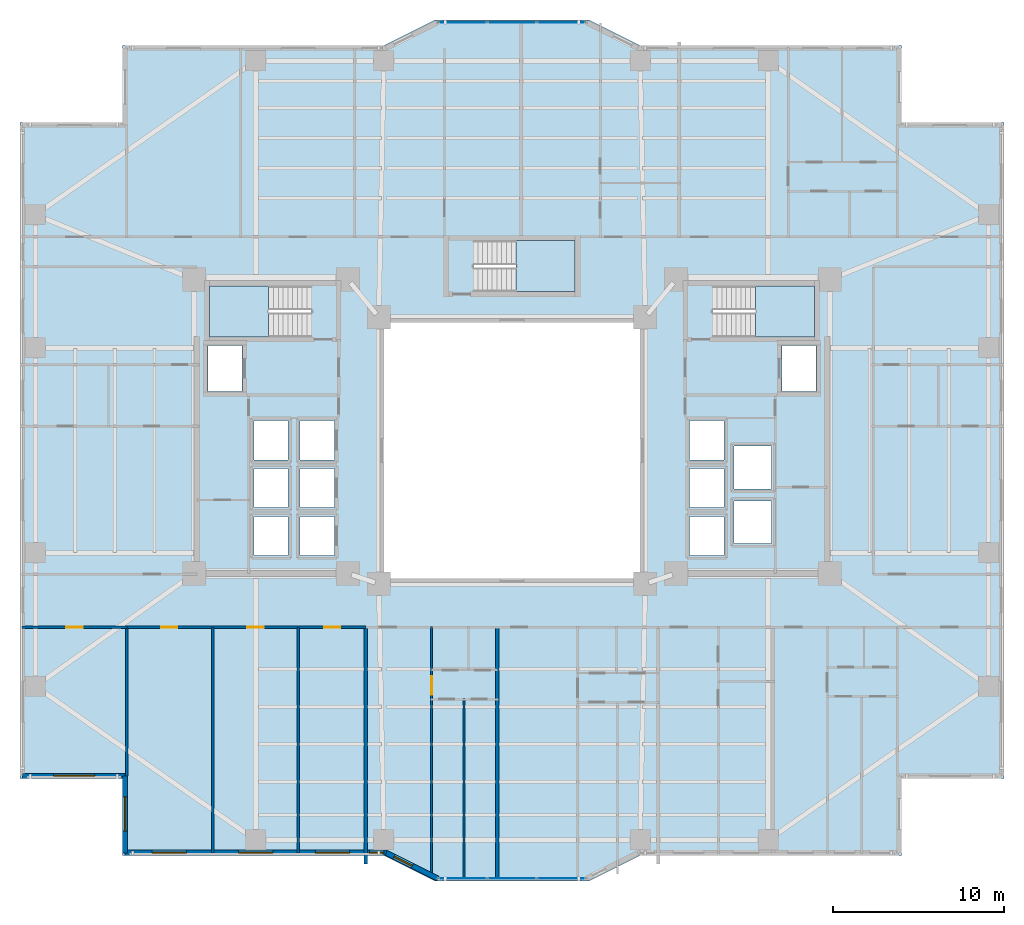
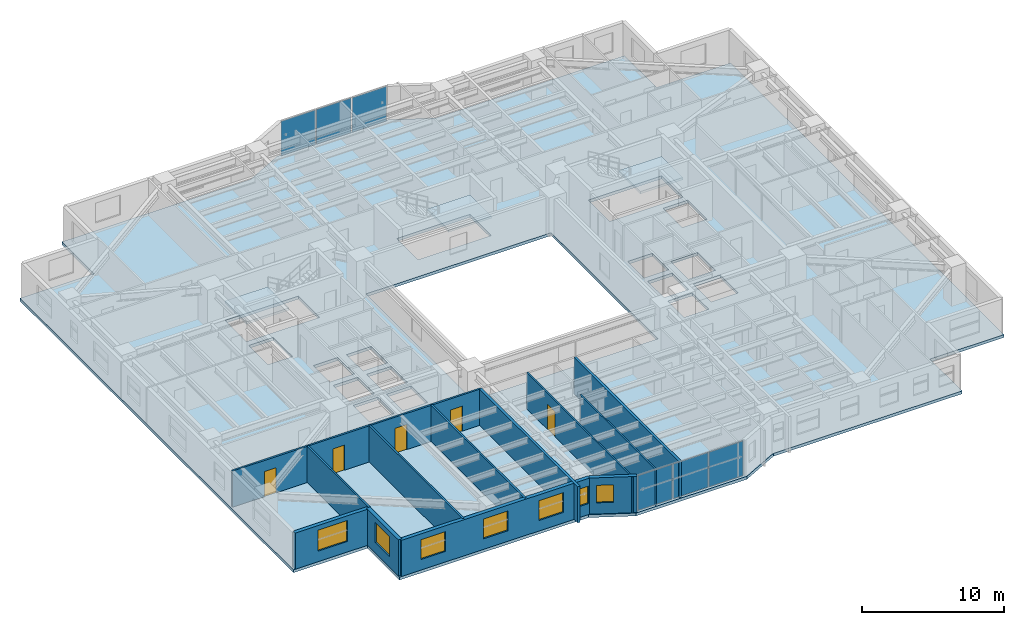
# One storey, part 9 of 21: 13 walls, 7 windows, 6 plates, 5 doors, 4 slabs, 12 openings, 5 elements without a shape of their own.
"""IFC4 building model written with IfcOpenShell, lengths in metres."""

from ifc_helpers import new_model, si_unit, direction, frame, frame_2d, origin, origin_2d, place, context, subcontext, project, spatial, polyline, rectangle, outline, extrude, material, layer, layer_set, type_object, element, fill, aggregate, save


model = new_model("IFC4")

# Units and contexts
model_context = context("Model", 3, precision=1e-05, world=origin(), true_north=direction((0.0, 1.0)))
body_context = subcontext(model_context, "Body", "Model", "MODEL_VIEW")
ifc_project = project(units=[si_unit("LENGTHUNIT", "METRE"), si_unit("AREAUNIT", "SQUARE_METRE"), si_unit("VOLUMEUNIT", "CUBIC_METRE"), si_unit("PLANEANGLEUNIT", "RADIAN"), si_unit("MASSUNIT", "GRAM", prefix="KILO")], contexts=[model_context])

# Site, building, storey
site_placement = place(None, origin())
site = spatial("IfcSite", under=ifc_project, at=site_placement, CompositionType="ELEMENT")
building_placement = place(site_placement, origin())
building = spatial("IfcBuilding", under=site, at=building_placement, Name="Tarnavaz Court Tower", CompositionType="ELEMENT")
storey_placement = place(building_placement, frame((0.0, 0.0, 44.10009765625)))
storey = spatial("IfcBuildingStorey", under=building, at=storey_placement, Name="L11", CompositionType="ELEMENT", Elevation=44.10009765625)

# Curtain wall, plates
ifc_material_1 = material(Name="Anodised Aluminium 6063-T6 and Solar Low-E Glazing", Category="aluminium")
ifc_layer_1 = layer(ifc_material_1, 0.179931640625)
ifc_layer_set_1 = layer_set([ifc_layer_1], Name="Anodised Aluminium 6063-T6 and Solar Low-E Glazing")
curtain_wall_type = type_object("IfcCurtainWallType", Name="CW-SYS-02", PredefinedType="NOTDEFINED", material=ifc_layer_set_1)
curtain_wall_1_placement = place(storey_placement, origin())
curtain_wall_1 = element("IfcCurtainWall", 1, at=curtain_wall_1_placement, inside=storey, type_object=curtain_wall_type, Name="L11 Iwan Prow Curtain Wall 7", PredefinedType="NOTDEFINED")
ifc_material_2 = material(Name="Double-Glazed Solar Low-E Glass", Category="glass")
ifc_layer_2 = layer(ifc_material_2, 0.028076171875)
ifc_layer_set_2 = layer_set([ifc_layer_2], Name="Double-Glazed Solar Low-E Glass")
plate_type = type_object("IfcPlateType", Name="CW-PAN-GLZ28", PredefinedType="CURTAIN_PANEL", material=ifc_layer_set_2)
plate_1_placement = place(storey_placement, frame((-2.88134765625, 25.050048828125, 0.06494140625), z_axis=(0.0, 0.0, 1.0), x_axis=(1.0, 0.0, 0.0)))
plate_1 = element("IfcPlate", 2, at=plate_1_placement, type_object=plate_type, Name="CW panel 1.1", PredefinedType="CURTAIN_PANEL", context=body_context, shape_type="SweptSolid", body=[
    extrude(rectangle(XDim=2.78759765625, YDim=0.028076171875, at=origin_2d()), origin(), (0.0, 0.0, 1.0), 2.969970703125),
])
plate_2_placement = place(storey_placement, frame((0.0, 25.050048828125, 0.06494140625), z_axis=(0.0, 0.0, 1.0), x_axis=(1.0, 0.0, 0.0)))
plate_2 = element("IfcPlate", 3, at=plate_2_placement, type_object=plate_type, Name="CW panel 2.1", PredefinedType="CURTAIN_PANEL", context=body_context, shape_type="SweptSolid", body=[
    extrude(rectangle(XDim=2.824951171875, YDim=0.028076171875, at=origin_2d()), origin(), (0.0, 0.0, 1.0), 2.969970703125),
])
plate_3_placement = place(storey_placement, frame((2.88134765625, 25.050048828125, 0.06494140625), z_axis=(0.0, 0.0, 1.0), x_axis=(1.0, 0.0, 0.0)))
plate_3 = element("IfcPlate", 4, at=plate_3_placement, type_object=plate_type, Name="CW panel 3.1", PredefinedType="CURTAIN_PANEL", context=body_context, shape_type="SweptSolid", body=[
    extrude(rectangle(XDim=2.78759765625, YDim=0.028076171875, at=origin_2d()), origin(), (0.0, 0.0, 1.0), 2.969970703125),
])
aggregate(curtain_wall_1, [plate_1, plate_2, plate_3])

curtain_wall_2_placement = place(storey_placement, origin())
curtain_wall_2 = element("IfcCurtainWall", 5, at=curtain_wall_2_placement, inside=storey, type_object=curtain_wall_type, Name="L11 Iwan Prow Curtain Wall 17", PredefinedType="NOTDEFINED")
plate_4_placement = place(storey_placement, frame((2.88134765625, -25.050048828125, 0.06494140625), z_axis=(0.0, 0.0, 1.0), x_axis=(-1.0, 0.0, 0.0)))
plate_4 = element("IfcPlate", 6, at=plate_4_placement, type_object=plate_type, Name="CW panel 1.1", PredefinedType="CURTAIN_PANEL", context=body_context, shape_type="SweptSolid", body=[
    extrude(rectangle(XDim=2.78759765625, YDim=0.028076171875, at=origin_2d()), origin(), (0.0, 0.0, 1.0), 2.969970703125),
])
plate_5_placement = place(storey_placement, frame((0.0, -25.050048828125, 0.06494140625), z_axis=(0.0, 0.0, 1.0), x_axis=(-1.0, 0.0, 0.0)))
plate_5 = element("IfcPlate", 7, at=plate_5_placement, type_object=plate_type, Name="CW panel 2.1", PredefinedType="CURTAIN_PANEL", context=body_context, shape_type="SweptSolid", body=[
    extrude(rectangle(XDim=2.824951171875, YDim=0.028076171875, at=origin_2d()), origin(), (0.0, 0.0, 1.0), 2.969970703125),
])
plate_6_placement = place(storey_placement, frame((-2.88134765625, -25.050048828125, 0.06494140625), z_axis=(0.0, 0.0, 1.0), x_axis=(-1.0, 0.0, 0.0)))
plate_6 = element("IfcPlate", 8, at=plate_6_placement, type_object=plate_type, Name="CW panel 3.1", PredefinedType="CURTAIN_PANEL", context=body_context, shape_type="SweptSolid", body=[
    extrude(rectangle(XDim=2.78759765625, YDim=0.028076171875, at=origin_2d()), origin(), (0.0, 0.0, 1.0), 2.969970703125),
])
aggregate(curtain_wall_2, [plate_4, plate_5, plate_6])

# Stair, slab
ifc_material_3 = material(Name="Concrete C40/50", Category="concrete")
stair_type = type_object("IfcStairType", Name="ST-TWR-20R", PredefinedType="HALF_TURN_STAIR", material=ifc_material_3)
stair_1_placement = place(storey_placement, origin())
stair_1 = element("IfcStair", 9, at=stair_1_placement, inside=storey, type_object=stair_type, Name="L11 West Core Pressurized Exit Stair ST-W1", PredefinedType="HALF_TURN_STAIR")
ifc_layer_3 = layer(ifc_material_3, 0.199951171875)
ifc_layer_set_3 = layer_set([ifc_layer_3], Name="Concrete C40/50")
slab_type_1 = type_object("IfcSlabType", Name="SL-LAND-200", PredefinedType="LANDING", material=ifc_layer_set_3)
slab_1_placement = place(storey_placement, frame((0.0, 0.0, 1.474853515625)))
slab_1 = element("IfcSlab", 10, at=slab_1_placement, type_object=slab_type_1, Name="ST-W1 landing 1", PredefinedType="LANDING", context=body_context, shape_type="SweptSolid", body=[
    extrude(outline(polyline([(-14.239990234375, 9.639892578125), (-17.699951171875, 9.639892578125), (-17.699951171875, 6.64990234375), (-14.239990234375, 6.64990234375), (-14.239990234375, 9.639892578125)])), origin(), (0.0, 0.0, 1.0), 0.199951171875),
])
aggregate(stair_1, [slab_1])

stair_2_placement = place(storey_placement, origin())
stair_2 = element("IfcStair", 11, at=stair_2_placement, inside=storey, type_object=stair_type, Name="L11 East Core Pressurized Exit Stair ST-E1", PredefinedType="HALF_TURN_STAIR")
slab_2_placement = place(storey_placement, frame((0.0, 0.0, 1.474853515625)))
slab_2 = element("IfcSlab", 12, at=slab_2_placement, type_object=slab_type_1, Name="ST-E1 landing 1", PredefinedType="LANDING", context=body_context, shape_type="SweptSolid", body=[
    extrude(outline(polyline([(14.239990234375, 6.64990234375), (17.699951171875, 6.64990234375), (17.699951171875, 9.639892578125), (14.239990234375, 9.639892578125), (14.239990234375, 6.64990234375)])), origin(), (0.0, 0.0, 1.0), 0.199951171875),
])
aggregate(stair_2, [slab_2])

stair_3_placement = place(storey_placement, origin())
stair_3 = element("IfcStair", 13, at=stair_3_placement, inside=storey, type_object=stair_type, Name="L11 North Ring Pressurized Exit Stair ST-N1", PredefinedType="HALF_TURN_STAIR")
slab_3_placement = place(storey_placement, frame((0.0, 0.0, 1.474853515625)))
slab_3 = element("IfcSlab", 14, at=slab_3_placement, type_object=slab_type_1, Name="ST-N1 landing 1", PredefinedType="LANDING", context=body_context, shape_type="SweptSolid", body=[
    extrude(outline(polyline([(0.239990234375, 9.300048828125), (3.699951171875, 9.300048828125), (3.699951171875, 12.2900390625), (0.239990234375, 12.2900390625), (0.239990234375, 9.300048828125)])), origin(), (0.0, 0.0, 1.0), 0.199951171875),
])
aggregate(stair_3, [slab_3])

# Slab
ifc_layer_4 = layer(ifc_material_3, 0.25)
ifc_layer_set_4 = layer_set([ifc_layer_4], Name="Concrete C40/50")
slab_type_2 = type_object("IfcSlabType", Name="SL-RES-250", PredefinedType="FLOOR", material=ifc_layer_set_4)
slab_4_placement = place(storey_placement, frame((0.0, 0.0, -0.25)))
element("IfcSlab", 15, at=slab_4_placement, inside=storey, type_object=slab_type_2, Name="L11 Structural Floor Slab", PredefinedType="FLOOR", context=body_context, shape_type="SweptSolid", body=[
    extrude(outline(polyline([(-22.800048828125, -23.699951171875), (-7.5, -23.699951171875), (-4.5, -25.199951171875), (4.5, -25.199951171875), (7.5, -23.699951171875), (22.800048828125, -23.699951171875), (22.800048828125, -19.199951171875), (28.800048828125, -19.199951171875), (28.800048828125, 19.199951171875), (22.800048828125, 19.199951171875), (22.800048828125, 23.699951171875), (7.5, 23.699951171875), (4.5, 25.199951171875), (-4.5, 25.199951171875), (-7.5, 23.699951171875), (-22.800048828125, 23.699951171875), (-22.800048828125, 19.199951171875), (-28.800048828125, 19.199951171875), (-28.800048828125, -19.199951171875), (-22.800048828125, -19.199951171875), (-22.800048828125, -23.699951171875)]), holes=[polyline([(-7.5, -7.5), (7.5, -7.5), (7.5, 7.5), (-7.5, 7.5), (-7.5, -7.5)]), polyline([(-11.7451171875, 9.639892578125), (-17.699951171875, 9.639892578125), (-17.699951171875, 6.64990234375), (-11.7451171875, 6.64990234375), (-11.7451171875, 9.639892578125)]), polyline([(11.7451171875, 6.64990234375), (17.699951171875, 6.64990234375), (17.699951171875, 9.639892578125), (11.7451171875, 9.639892578125), (11.7451171875, 6.64990234375)]), polyline([(-2.2548828125, 9.300048828125), (3.699951171875, 9.300048828125), (3.699951171875, 12.2900390625), (-2.2548828125, 12.2900390625), (-2.2548828125, 9.300048828125)]), polyline([(-17.800048828125, 3.449951171875), (-15.800048828125, 3.449951171875), (-15.800048828125, 6.14990234375), (-17.800048828125, 6.14990234375), (-17.800048828125, 3.449951171875)]), polyline([(-12.39990234375, -6.14990234375), (-10.39990234375, -6.14990234375), (-10.39990234375, -3.85009765625), (-12.39990234375, -3.85009765625), (-12.39990234375, -6.14990234375)]), polyline([(-12.39990234375, -3.35009765625), (-10.39990234375, -3.35009765625), (-10.39990234375, -1.050048828125), (-12.39990234375, -1.050048828125), (-12.39990234375, -3.35009765625)]), polyline([(-12.39990234375, -0.550048828125), (-10.39990234375, -0.550048828125), (-10.39990234375, 1.75), (-12.39990234375, 1.75), (-12.39990234375, -0.550048828125)]), polyline([(-15.10009765625, -6.14990234375), (-13.10009765625, -6.14990234375), (-13.10009765625, -3.85009765625), (-15.10009765625, -3.85009765625), (-15.10009765625, -6.14990234375)]), polyline([(-15.10009765625, -3.35009765625), (-13.10009765625, -3.35009765625), (-13.10009765625, -1.050048828125), (-15.10009765625, -1.050048828125), (-15.10009765625, -3.35009765625)]), polyline([(-15.10009765625, -0.550048828125), (-13.10009765625, -0.550048828125), (-13.10009765625, 1.75), (-15.10009765625, 1.75), (-15.10009765625, -0.550048828125)]), polyline([(15.800048828125, 3.449951171875), (17.800048828125, 3.449951171875), (17.800048828125, 6.14990234375), (15.800048828125, 6.14990234375), (15.800048828125, 3.449951171875)]), polyline([(10.39990234375, -6.14990234375), (12.39990234375, -6.14990234375), (12.39990234375, -3.85009765625), (10.39990234375, -3.85009765625), (10.39990234375, -6.14990234375)]), polyline([(10.39990234375, -3.35009765625), (12.39990234375, -3.35009765625), (12.39990234375, -1.050048828125), (10.39990234375, -1.050048828125), (10.39990234375, -3.35009765625)]), polyline([(10.39990234375, -0.550048828125), (12.39990234375, -0.550048828125), (12.39990234375, 1.75), (10.39990234375, 1.75), (10.39990234375, -0.550048828125)]), polyline([(13.0, -5.449951171875), (15.199951171875, -5.449951171875), (15.199951171875, -2.949951171875), (13.0, -2.949951171875), (13.0, -5.449951171875)]), polyline([(13.0, -2.25), (15.199951171875, -2.25), (15.199951171875, 0.25), (13.0, 0.25), (13.0, -2.25)])]), origin(), (0.0, 0.0, 1.0), 0.25),
])

# Wall, opening, window
ifc_material_4 = material(Name="Precast Concrete C40/50", Category="concrete")
ifc_layer_5 = layer(ifc_material_4, 0.300048828125)
ifc_layer_set_5 = layer_set([ifc_layer_5], Name="Precast Concrete C40/50")
wall_type_1 = type_object("IfcWallType", Name="WL-EXT-300", PredefinedType="SOLIDWALL", material=ifc_layer_set_5)
wall_1_placement = place(storey_placement, frame((-22.64990234375, -19.050048828125, 0.0), z_axis=(0.0, 0.0, 1.0), x_axis=(-1.0, 0.0, 0.0)))
wall_1 = element("IfcWall", 16, at=wall_1_placement, inside=storey, type_object=wall_type_1, Name="L11 Exterior Terracotta Facade Wall 01", PredefinedType="SOLIDWALL", context=body_context, shape_type="SweptSolid", body=[
    extrude(rectangle(XDim=6.0, YDim=0.300048828125, at=frame_2d((3.0, 0.0))), origin(), (0.0, 0.0, 1.0), 3.099853515625),
])
opening_1_placement = place(wall_1_placement, frame((1.77490234375, 0.0, 0.89990234375)))
opening_1 = element("IfcOpeningElement", 17, at=opening_1_placement, cuts=wall_1, Name="Opening W06", PredefinedType="OPENING", context=body_context, shape_type="SweptSolid", body=[
    extrude(rectangle(XDim=2.39990234375, YDim=1.800048828125, at=frame_2d((1.199951171875, 0.89990234375))), frame((0.0, 0.159912109375, 0.0), z_axis=(0.0, -1.0, 0.0), x_axis=(1.0, 0.0, 0.0)), (0.0, 0.0, 1.0), 0.320068359375),
])
window_type_1 = type_object("IfcWindowType", Name="WN-APT-2400", PartitioningType="TRIPLE_PANEL_VERTICAL", PredefinedType="WINDOW", material=ifc_material_2)
window_1_placement = place(opening_1_placement, origin())
window_1 = element("IfcWindow", 18, at=window_1_placement, inside=storey, type_object=window_type_1, Name="L11 South-West Corner Reading Room Window", OverallHeight=1.800048828125, OverallWidth=2.39990234375, PartitioningType="SINGLE_PANEL", PredefinedType="WINDOW", context=body_context, shape_type="SweptSolid", body=[
    extrude(rectangle(XDim=2.39990234375, YDim=1.800048828125, at=frame_2d((1.199951171875, 0.89990234375))), frame((0.0, 0.030029296875, 0.0), z_axis=(0.0, -1.0, 0.0), x_axis=(1.0, 0.0, 0.0)), (0.0, 0.0, 1.0), 0.06005859375),
])
fill(opening_1, window_1)

wall_2_placement = place(storey_placement, frame((-4.35009765625, -25.050048828125, 0.0), z_axis=(0.0, 0.0, 1.0), x_axis=(-0.894427191, 0.4472135955, 0.0)))
wall_2 = element("IfcWall", 19, at=wall_2_placement, inside=storey, type_object=wall_type_1, Name="L11 Exterior Terracotta Facade Wall 18", PredefinedType="SOLIDWALL", context=body_context, shape_type="SweptSolid", body=[
    extrude(rectangle(XDim=3.35400390625, YDim=0.300048828125, at=frame_2d((1.677001953125, 0.0))), origin(), (0.0, 0.0, 1.0), 3.099853515625),
])
opening_2_placement = place(wall_2_placement, frame((1.65283203125, 0.0, 0.949951171875)))
opening_2 = element("IfcOpeningElement", 20, at=opening_2_placement, cuts=wall_2, Name="Opening W05", PredefinedType="OPENING", context=body_context, shape_type="SweptSolid", body=[
    extrude(rectangle(XDim=1.199951171875, YDim=1.5, at=frame_2d((0.60009765625, 0.75))), frame((0.0, 0.159912109375, 0.0), z_axis=(0.0, -1.0, 0.0), x_axis=(1.0, 0.0, 0.0)), (0.0, 0.0, 1.0), 0.320068359375),
])
window_type_2 = type_object("IfcWindowType", Name="WN-APT-1200", PartitioningType="SINGLE_PANEL", PredefinedType="WINDOW", material=ifc_material_2)
window_2_placement = place(opening_2_placement, origin())
window_2 = element("IfcWindow", 21, at=window_2_placement, inside=storey, type_object=window_type_2, Name="L11 Flat 05 Living and Dining Room Window", OverallHeight=1.5, OverallWidth=1.199951171875, PartitioningType="SINGLE_PANEL", PredefinedType="WINDOW", context=body_context, shape_type="SweptSolid", body=[
    extrude(rectangle(XDim=1.199951171875, YDim=1.5, at=frame_2d((0.60009765625, 0.75))), frame((0.0, 0.030029296875, 0.0), z_axis=(0.0, -1.0, 0.0), x_axis=(1.0, 0.0, 0.0)), (0.0, 0.0, 1.0), 0.06005859375),
])
fill(opening_2, window_2)

# Wall, openings, windows
wall_3_placement = place(storey_placement, frame((-7.35009765625, -23.550048828125, 0.0), z_axis=(0.0, 0.0, 1.0), x_axis=(-1.0, 0.0, 0.0)))
wall_3 = element("IfcWall", 22, at=wall_3_placement, inside=storey, type_object=wall_type_1, Name="L11 Exterior Terracotta Facade Wall 19", PredefinedType="SOLIDWALL", context=body_context, shape_type="SweptSolid", body=[
    extrude(rectangle(XDim=15.2998046875, YDim=0.300048828125, at=frame_2d((7.64990234375, 0.0))), origin(), (0.0, 0.0, 1.0), 3.099853515625),
])
opening_3_placement = place(wall_3_placement, frame((0.146728515625, 0.0, 0.949951171875)))
opening_3 = element("IfcOpeningElement", 23, at=opening_3_placement, cuts=wall_3, Name="Opening W15", PredefinedType="OPENING", context=body_context, shape_type="SweptSolid", body=[
    extrude(rectangle(XDim=0.85009765625, YDim=1.5, at=frame_2d((0.425048828125, 0.75))), frame((0.0, 0.159912109375, 0.0), z_axis=(0.0, -1.0, 0.0), x_axis=(1.0, 0.0, 0.0)), (0.0, 0.0, 1.0), 0.320068359375),
])
opening_4_placement = place(wall_3_placement, frame((2.160400390625, 0.0, 0.89990234375)))
opening_4 = element("IfcOpeningElement", 24, at=opening_4_placement, cuts=wall_3, Name="Opening W08", PredefinedType="OPENING", context=body_context, shape_type="SweptSolid", body=[
    extrude(rectangle(XDim=2.0, YDim=1.699951171875, at=frame_2d((1.0, 0.85009765625))), frame((0.0, 0.159912109375, 0.0), z_axis=(0.0, -1.0, 0.0), x_axis=(1.0, 0.0, 0.0)), (0.0, 0.0, 1.0), 0.320068359375),
])
opening_5_placement = place(wall_3_placement, frame((6.64990234375, 0.0, 0.89990234375)))
opening_5 = element("IfcOpeningElement", 25, at=opening_5_placement, cuts=wall_3, Name="Opening W08", PredefinedType="OPENING", context=body_context, shape_type="SweptSolid", body=[
    extrude(rectangle(XDim=2.0, YDim=1.699951171875, at=frame_2d((1.0, 0.85009765625))), frame((0.0, 0.159912109375, 0.0), z_axis=(0.0, -1.0, 0.0), x_axis=(1.0, 0.0, 0.0)), (0.0, 0.0, 1.0), 0.320068359375),
])
opening_6_placement = place(wall_3_placement, frame((11.716552734375, 0.0, 0.89990234375)))
opening_6 = element("IfcOpeningElement", 26, at=opening_6_placement, cuts=wall_3, Name="Opening W08", PredefinedType="OPENING", context=body_context, shape_type="SweptSolid", body=[
    extrude(rectangle(XDim=2.0, YDim=1.699951171875, at=frame_2d((1.0, 0.85009765625))), frame((0.0, 0.159912109375, 0.0), z_axis=(0.0, -1.0, 0.0), x_axis=(1.0, 0.0, 0.0)), (0.0, 0.0, 1.0), 0.320068359375),
])
window_type_3 = type_object("IfcWindowType", Name="WN-APT-2000", PartitioningType="DOUBLE_PANEL_VERTICAL", PredefinedType="WINDOW", material=ifc_material_2)
window_3_placement = place(opening_4_placement, origin())
window_3 = element("IfcWindow", 27, at=window_3_placement, inside=storey, type_object=window_type_3, Name="L11 Resident Focus Seminar Room Window", OverallHeight=1.699951171875, OverallWidth=2.0, PartitioningType="SINGLE_PANEL", PredefinedType="WINDOW", context=body_context, shape_type="SweptSolid", body=[
    extrude(rectangle(XDim=2.0, YDim=1.699951171875, at=frame_2d((1.0, 0.85009765625))), frame((0.0, 0.030029296875, 0.0), z_axis=(0.0, -1.0, 0.0), x_axis=(1.0, 0.0, 0.0)), (0.0, 0.0, 1.0), 0.06005859375),
])
fill(opening_4, window_3)
window_4_placement = place(opening_5_placement, origin())
window_4 = element("IfcWindow", 28, at=window_4_placement, inside=storey, type_object=window_type_3, Name="L11 Quiet Reading Library Room Window", OverallHeight=1.699951171875, OverallWidth=2.0, PartitioningType="SINGLE_PANEL", PredefinedType="WINDOW", context=body_context, shape_type="SweptSolid", body=[
    extrude(rectangle(XDim=2.0, YDim=1.699951171875, at=frame_2d((1.0, 0.85009765625))), frame((0.0, 0.030029296875, 0.0), z_axis=(0.0, -1.0, 0.0), x_axis=(1.0, 0.0, 0.0)), (0.0, 0.0, 1.0), 0.06005859375),
])
fill(opening_5, window_4)
window_5_placement = place(opening_6_placement, origin())
window_5 = element("IfcWindow", 29, at=window_5_placement, inside=storey, type_object=window_type_3, Name="L11 Resident Co-Working Study Room Window", OverallHeight=1.699951171875, OverallWidth=2.0, PartitioningType="SINGLE_PANEL", PredefinedType="WINDOW", context=body_context, shape_type="SweptSolid", body=[
    extrude(rectangle(XDim=2.0, YDim=1.699951171875, at=frame_2d((1.0, 0.85009765625))), frame((0.0, 0.030029296875, 0.0), z_axis=(0.0, -1.0, 0.0), x_axis=(1.0, 0.0, 0.0)), (0.0, 0.0, 1.0), 0.06005859375),
])
fill(opening_6, window_5)
window_type_4 = type_object("IfcWindowType", Name="WN-APT-850", PartitioningType="SINGLE_PANEL", PredefinedType="WINDOW", material=ifc_material_2)
window_6_placement = place(opening_3_placement, origin())
window_6 = element("IfcWindow", 30, at=window_6_placement, inside=storey, type_object=window_type_4, Name="L11 Flat 05 Living and Dining Room Window", OverallHeight=1.5, OverallWidth=0.85009765625, PartitioningType="SINGLE_PANEL", PredefinedType="WINDOW", context=body_context, shape_type="SweptSolid", body=[
    extrude(rectangle(XDim=0.85009765625, YDim=1.5, at=frame_2d((0.425048828125, 0.75))), frame((0.0, 0.030029296875, 0.0), z_axis=(0.0, -1.0, 0.0), x_axis=(1.0, 0.0, 0.0)), (0.0, 0.0, 1.0), 0.06005859375),
])
fill(opening_3, window_6)

# Wall, opening, window
wall_4_placement = place(storey_placement, frame((-22.64990234375, -23.550048828125, 0.0), z_axis=(0.0, 0.0, 1.0), x_axis=(0.0, 1.0, 0.0)))
wall_4 = element("IfcWall", 31, at=wall_4_placement, inside=storey, type_object=wall_type_1, Name="L11 Exterior Terracotta Facade Wall 20", PredefinedType="SOLIDWALL", context=body_context, shape_type="SweptSolid", body=[
    extrude(rectangle(XDim=4.5, YDim=0.300048828125, at=frame_2d((2.25, 0.0))), origin(), (0.0, 0.0, 1.0), 3.099853515625),
])
opening_7_placement = place(wall_4_placement, frame((1.267578125, 0.0, 0.89990234375)))
opening_7 = element("IfcOpeningElement", 32, at=opening_7_placement, cuts=wall_4, Name="Opening W08", PredefinedType="OPENING", context=body_context, shape_type="SweptSolid", body=[
    extrude(rectangle(XDim=2.0, YDim=1.699951171875, at=frame_2d((1.0, 0.85009765625))), frame((0.0, 0.159912109375, 0.0), z_axis=(0.0, -1.0, 0.0), x_axis=(1.0, 0.0, 0.0)), (0.0, 0.0, 1.0), 0.320068359375),
])
window_7_placement = place(opening_7_placement, origin())
window_7 = element("IfcWindow", 33, at=window_7_placement, inside=storey, type_object=window_type_3, Name="L11 Resident Co-Working Study Room Window", OverallHeight=1.699951171875, OverallWidth=2.0, PartitioningType="SINGLE_PANEL", PredefinedType="WINDOW", context=body_context, shape_type="SweptSolid", body=[
    extrude(rectangle(XDim=2.0, YDim=1.699951171875, at=frame_2d((1.0, 0.85009765625))), frame((0.0, 0.030029296875, 0.0), z_axis=(0.0, -1.0, 0.0), x_axis=(1.0, 0.0, 0.0)), (0.0, 0.0, 1.0), 0.06005859375),
])
fill(opening_7, window_7)

# Wall, openings, doors
ifc_material_5 = material(Name="Gypsum Fire-Board on Acoustic Metal Stud", Category="masonry")
ifc_layer_6 = layer(ifc_material_5, 0.14990234375)
ifc_layer_set_6 = layer_set([ifc_layer_6], Name="Gypsum Fire-Board on Acoustic Metal Stud")
wall_type_2 = type_object("IfcWallType", Name="WL-FIRE-150", PredefinedType="PARTITIONING", material=ifc_layer_set_6)
wall_5_placement = place(storey_placement, frame((-22.550048828125, -10.35009765625, 0.0), z_axis=(0.0, 0.0, 1.0), x_axis=(1.0, 0.0, 0.0)))
wall_5 = element("IfcWall", 34, at=wall_5_placement, inside=storey, type_object=wall_type_2, Name="L11 SW Corridor Wall 084", PredefinedType="PARTITIONING", context=body_context, shape_type="SweptSolid", body=[
    extrude(rectangle(XDim=14.0, YDim=0.14990234375, at=frame_2d((7.0, 0.0))), origin(), (0.0, 0.0, 1.0), 3.099853515625),
])
opening_8_placement = place(wall_5_placement, frame((2.006103515625, 0.0, 0.0)))
opening_8 = element("IfcOpeningElement", 35, at=opening_8_placement, cuts=wall_5, Name="Opening D13", PredefinedType="OPENING", context=body_context, shape_type="SweptSolid", body=[
    extrude(rectangle(XDim=0.949951171875, YDim=2.14990234375, at=frame_2d((0.47509765625, 1.074951171875))), frame((0.0, 0.0849609375, 0.0), z_axis=(0.0, -1.0, 0.0), x_axis=(1.0, 0.0, 0.0)), (0.0, 0.0, 1.0), 0.169921875),
])
opening_9_placement = place(wall_5_placement, frame((7.05810546875, 0.0, 0.0)))
opening_9 = element("IfcOpeningElement", 36, at=opening_9_placement, cuts=wall_5, Name="Opening D13", PredefinedType="OPENING", context=body_context, shape_type="SweptSolid", body=[
    extrude(rectangle(XDim=0.949951171875, YDim=2.14990234375, at=frame_2d((0.47509765625, 1.074951171875))), frame((0.0, 0.0849609375, 0.0), z_axis=(0.0, -1.0, 0.0), x_axis=(1.0, 0.0, 0.0)), (0.0, 0.0, 1.0), 0.169921875),
])
opening_10_placement = place(wall_5_placement, frame((11.552001953125, 0.0, 0.0)))
opening_10 = element("IfcOpeningElement", 37, at=opening_10_placement, cuts=wall_5, Name="Opening D13", PredefinedType="OPENING", context=body_context, shape_type="SweptSolid", body=[
    extrude(rectangle(XDim=0.949951171875, YDim=2.14990234375, at=frame_2d((0.47509765625, 1.074951171875))), frame((0.0, 0.0849609375, 0.0), z_axis=(0.0, -1.0, 0.0), x_axis=(1.0, 0.0, 0.0)), (0.0, 0.0, 1.0), 0.169921875),
])
ifc_material_6 = material(Name="Engineered Oak Timber", Category="wood")
door_type_1 = type_object("IfcDoorType", Name="DR-INT-950", OperationType="NOTDEFINED", PredefinedType="DOOR", material=ifc_material_6)
door_1_placement = place(opening_8_placement, origin())
door_1 = element("IfcDoor", 38, at=door_1_placement, inside=storey, type_object=door_type_1, Name="L11 Resident Co-Working Study Room Door", OperationType="SINGLE_SWING_RIGHT", OverallHeight=2.14990234375, OverallWidth=0.949951171875, PredefinedType="DOOR", context=body_context, shape_type="SweptSolid", body=[
    extrude(rectangle(XDim=0.949951171875, YDim=2.14990234375, at=frame_2d((0.47509765625, 1.074951171875))), frame((0.0, 0.02490234375, 0.0), z_axis=(0.0, -1.0, 0.0), x_axis=(1.0, 0.0, 0.0)), (0.0, 0.0, 1.0), 0.050048828125),
])
fill(opening_8, door_1)
door_2_placement = place(opening_9_placement, origin())
door_2 = element("IfcDoor", 39, at=door_2_placement, inside=storey, type_object=door_type_1, Name="L11 Quiet Reading Library Room Door", OperationType="SINGLE_SWING_LEFT", OverallHeight=2.14990234375, OverallWidth=0.949951171875, PredefinedType="DOOR", context=body_context, shape_type="SweptSolid", body=[
    extrude(rectangle(XDim=0.949951171875, YDim=2.14990234375, at=frame_2d((0.47509765625, 1.074951171875))), frame((0.0, 0.02490234375, 0.0), z_axis=(0.0, -1.0, 0.0), x_axis=(1.0, 0.0, 0.0)), (0.0, 0.0, 1.0), 0.050048828125),
])
fill(opening_9, door_2)
door_3_placement = place(opening_10_placement, origin())
door_3 = element("IfcDoor", 40, at=door_3_placement, inside=storey, type_object=door_type_1, Name="L11 Resident Focus Seminar Room Door", OperationType="SINGLE_SWING_RIGHT", OverallHeight=2.14990234375, OverallWidth=0.949951171875, PredefinedType="DOOR", context=body_context, shape_type="SweptSolid", body=[
    extrude(rectangle(XDim=0.949951171875, YDim=2.14990234375, at=frame_2d((0.47509765625, 1.074951171875))), frame((0.0, 0.02490234375, 0.0), z_axis=(0.0, -1.0, 0.0), x_axis=(1.0, 0.0, 0.0)), (0.0, 0.0, 1.0), 0.050048828125),
])
fill(opening_10, door_3)

# Wall, opening, door
wall_6_placement = place(storey_placement, frame((-28.679931640625, -10.35009765625, 0.0), z_axis=(0.0, 0.0, 1.0), x_axis=(1.0, 0.0, 0.0)))
wall_6 = element("IfcWall", 41, at=wall_6_placement, inside=storey, type_object=wall_type_2, Name="L11 Interior Partition 138", PredefinedType="PARTITIONING", context=body_context, shape_type="SweptSolid", body=[
    extrude(rectangle(XDim=6.1298828125, YDim=0.14990234375, at=frame_2d((3.06494140625, 0.0))), origin(), (0.0, 0.0, 1.0), 3.099853515625),
])
opening_11_placement = place(wall_6_placement, frame((2.590087890625, 0.0, 0.0)))
opening_11 = element("IfcOpeningElement", 42, at=opening_11_placement, cuts=wall_6, Name="Opening D13", PredefinedType="OPENING", context=body_context, shape_type="SweptSolid", body=[
    extrude(rectangle(XDim=0.949951171875, YDim=2.14990234375, at=frame_2d((0.47509765625, 1.074951171875))), frame((0.0, 0.0849609375, 0.0), z_axis=(0.0, -1.0, 0.0), x_axis=(1.0, 0.0, 0.0)), (0.0, 0.0, 1.0), 0.169921875),
])
door_4_placement = place(opening_11_placement, origin())
door_4 = element("IfcDoor", 43, at=door_4_placement, inside=storey, type_object=door_type_1, Name="L11 SW Reading Room Door", OperationType="SINGLE_SWING_RIGHT", OverallHeight=2.14990234375, OverallWidth=0.949951171875, PredefinedType="DOOR", context=body_context, shape_type="SweptSolid", body=[
    extrude(rectangle(XDim=0.949951171875, YDim=2.14990234375, at=frame_2d((0.47509765625, 1.074951171875))), frame((0.0, 0.02490234375, 0.0), z_axis=(0.0, -1.0, 0.0), x_axis=(1.0, 0.0, 0.0)), (0.0, 0.0, 1.0), 0.050048828125),
])
fill(opening_11, door_4)

# Walls
ifc_material_7 = material(Name="Autoclaved Aerated Concrete Blockwork", Category="masonry")
ifc_layer_7 = layer(ifc_material_7, 0.199951171875)
ifc_layer_set_7 = layer_set([ifc_layer_7], Name="Autoclaved Aerated Concrete Blockwork")
wall_type_3 = type_object("IfcWallType", Name="WL-FIRE-200", PredefinedType="SOLIDWALL", material=ifc_layer_set_7)
wall_7_placement = place(storey_placement, frame((-8.550048828125, -24.2041015625, 0.0), z_axis=(0.0, 0.0, 1.0), x_axis=(0.0, 1.0, 0.0)))
element("IfcWall", 44, at=wall_7_placement, inside=storey, type_object=wall_type_3, Name="L11 Party Wall 113", PredefinedType="SOLIDWALL", context=body_context, shape_type="SweptSolid", body=[
    extrude(rectangle(XDim=13.85400390625, YDim=0.199951171875, at=frame_2d((6.927001953125, 0.0))), origin(), (0.0, 0.0, 1.0), 3.099853515625),
])
wall_8_placement = place(storey_placement, frame((-0.85498046875, -25.080078125, 0.0), z_axis=(0.0, 0.0, 1.0), x_axis=(0.0, 1.0, 0.0)))
element("IfcWall", 45, at=wall_8_placement, inside=storey, type_object=wall_type_3, Name="L11 Party Wall 115", PredefinedType="SOLIDWALL", context=body_context, shape_type="SweptSolid", body=[
    extrude(rectangle(XDim=14.72998046875, YDim=0.199951171875, at=frame_2d((7.364990234375, 0.0))), origin(), (0.0, 0.0, 1.0), 3.099853515625),
])

# Wall, opening, door
ifc_material_8 = material(Name="Moisture-Resistant Gypsum Board Partition", Category="masonry")
ifc_layer_8 = layer(ifc_material_8, 0.1201171875)
ifc_layer_set_8 = layer_set([ifc_layer_8], Name="Moisture-Resistant Gypsum Board Partition")
wall_type_4 = type_object("IfcWallType", Name="WL-PART-120", PredefinedType="PARTITIONING", material=ifc_layer_set_8)
wall_9_placement = place(storey_placement, frame((-4.702880859375, -25.080078125, 0.0), z_axis=(0.0, 0.0, 1.0), x_axis=(0.0, 1.0, 0.0)))
wall_9 = element("IfcWall", 46, at=wall_9_placement, inside=storey, type_object=wall_type_4, Name="L11 Interior Partition 116", PredefinedType="PARTITIONING", context=body_context, shape_type="SweptSolid", body=[
    extrude(rectangle(XDim=14.7900390625, YDim=0.1201171875, at=frame_2d((7.39501953125, 0.0))), origin(), (0.0, 0.0, 1.0), 3.099853515625),
])
opening_12_placement = place(wall_9_placement, frame((10.794921875, 0.0, 0.0)))
opening_12 = element("IfcOpeningElement", 47, at=opening_12_placement, cuts=wall_9, Name="Opening D12", PredefinedType="OPENING", context=body_context, shape_type="SweptSolid", body=[
    extrude(rectangle(XDim=1.080078125, YDim=2.14990234375, at=frame_2d((0.5400390625, 1.074951171875))), frame((0.0, 0.070068359375, 0.0), z_axis=(0.0, -1.0, 0.0), x_axis=(1.0, 0.0, 0.0)), (0.0, 0.0, 1.0), 0.14013671875),
])
door_type_2 = type_object("IfcDoorType", Name="DR-INT-1100", OperationType="NOTDEFINED", PredefinedType="DOOR", material=ifc_material_6)
door_5_placement = place(opening_12_placement, origin())
door_5 = element("IfcDoor", 48, at=door_5_placement, inside=storey, type_object=door_type_2, Name="L11 Flat 05 Foyer Door", OperationType="SINGLE_SWING_LEFT", OverallHeight=2.14990234375, OverallWidth=1.080078125, PredefinedType="DOOR", context=body_context, shape_type="SweptSolid", body=[
    extrude(rectangle(XDim=1.080078125, YDim=2.14990234375, at=frame_2d((0.5400390625, 1.074951171875))), frame((0.0, 0.02490234375, 0.0), z_axis=(0.0, -1.0, 0.0), x_axis=(1.0, 0.0, 0.0)), (0.0, 0.0, 1.0), 0.050048828125),
])
fill(opening_12, door_5)

# Walls
wall_10_placement = place(storey_placement, frame((-2.80908203125, -25.080078125, 0.0), z_axis=(0.0, 0.0, 1.0), x_axis=(0.0, 1.0, 0.0)))
element("IfcWall", 49, at=wall_10_placement, inside=storey, type_object=wall_type_4, Name="L11 Interior Partition 121", PredefinedType="PARTITIONING", context=body_context, shape_type="SweptSolid", body=[
    extrude(rectangle(XDim=10.570068359375, YDim=0.1201171875, at=frame_2d((5.28515625, 0.0))), origin(), (0.0, 0.0, 1.0), 3.099853515625),
])
ifc_material_9 = material(Name="Gypsum Plasterboard Acoustic Partition", Category="masonry")
ifc_layer_9 = layer(ifc_material_9, 0.139892578125)
ifc_layer_set_9 = layer_set([ifc_layer_9], Name="Gypsum Plasterboard Acoustic Partition")
wall_type_5 = type_object("IfcWallType", Name="WL-PART-150", PredefinedType="PARTITIONING", material=ifc_layer_set_9)
for number, where, z_axis, x_axis, name in (
    (50, (-17.528076171875, -23.550048828125, 0.0), (0.0, 0.0, 1.0), (0.0, 1.0, 0.0), "L11 Interior Partition 101"),
    (51, (-12.506103515625, -23.550048828125, 0.0), (0.0, 0.0, 1.0), (0.0, 1.0, 0.0), "L11 Interior Partition 102"),
):
    element("IfcWall", number, at=place(storey_placement, frame(where, z_axis=z_axis, x_axis=x_axis)), inside=storey, type_object=wall_type_5, Name=name, PredefinedType="PARTITIONING", context=body_context, shape_type="SweptSolid", body=[
        extrude(rectangle(XDim=13.199951171875, YDim=0.139892578125, at=frame_2d((6.60009765625, 0.0))), origin(), (0.0, 0.0, 1.0), 3.099853515625),
    ])
wall_11_placement = place(storey_placement, frame((-22.550048828125, -19.050048828125, 0.0), z_axis=(0.0, 0.0, 1.0), x_axis=(0.0, 1.0, 0.0)))
element("IfcWall", 52, at=wall_11_placement, inside=storey, type_object=wall_type_5, Name="L11 Interior Partition 132", PredefinedType="PARTITIONING", context=body_context, shape_type="SweptSolid", body=[
    extrude(rectangle(XDim=8.699951171875, YDim=0.139892578125, at=frame_2d((4.35009765625, 0.0))), origin(), (0.0, 0.0, 1.0), 3.099853515625),
])

save(model, "model.ifc")
